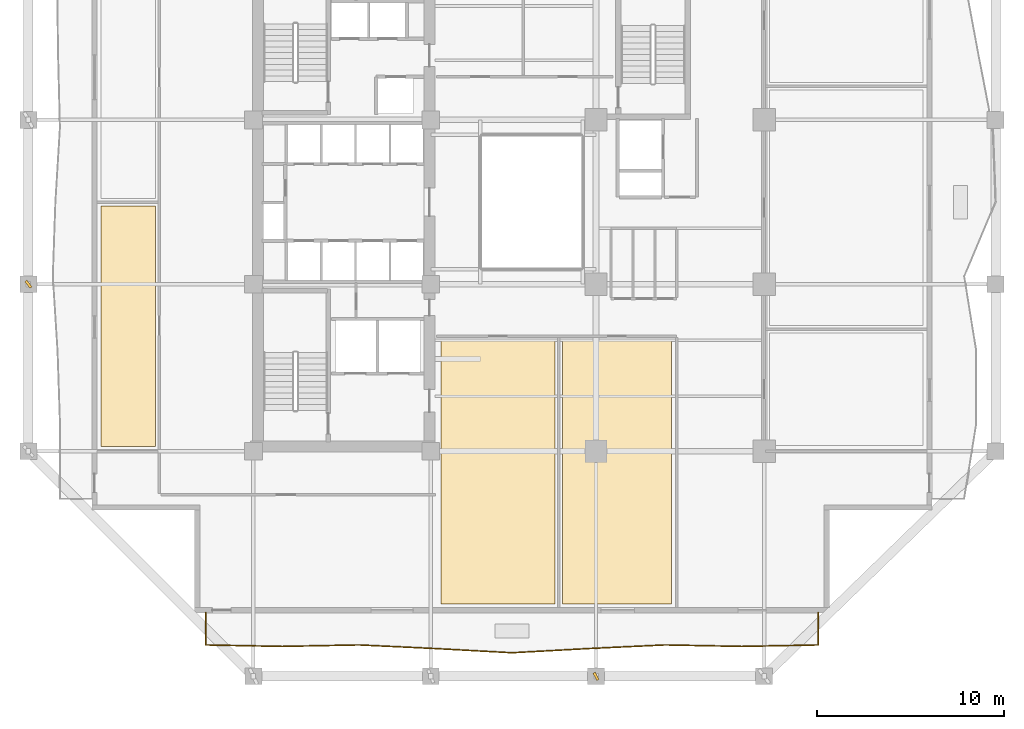
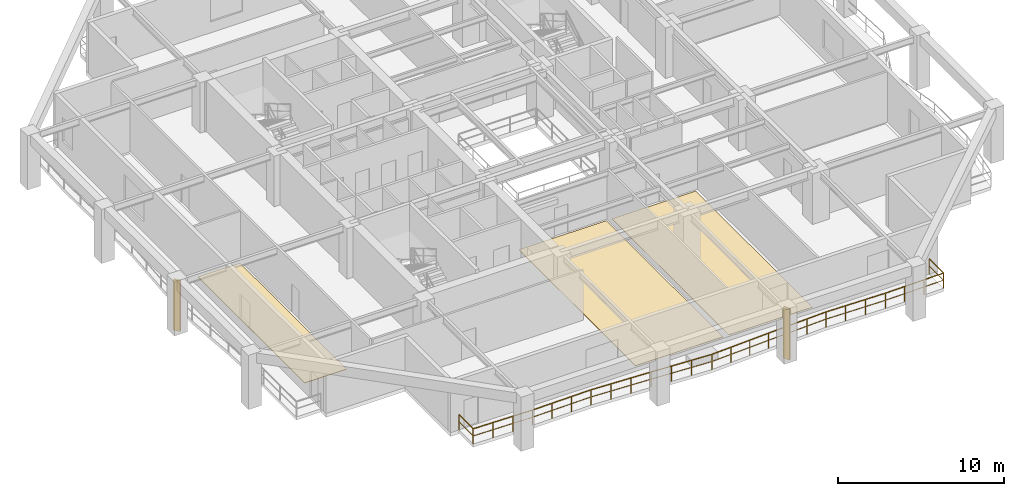
# One storey, part 7 of 12: 3 coverings, 2 shading devices, 1 railing.
"""IFC4 building model written with IfcOpenShell, lengths in metres."""

from ifc_helpers import new_model, si_unit, direction, frame, origin, origin_2d, place, context, subcontext, project, spatial, polyline, rectangle, outline, extrude, material, layer, layer_set, type_object, element, save


model = new_model("IFC4")

# Units and contexts
model_context = context("Model", 3, precision=1e-05, world=origin(), true_north=direction((0.0, 1.0)))
body_context = subcontext(model_context, "Body", "Model", "MODEL_VIEW")
ifc_project = project(units=[si_unit("LENGTHUNIT", "METRE"), si_unit("AREAUNIT", "SQUARE_METRE"), si_unit("VOLUMEUNIT", "CUBIC_METRE"), si_unit("PLANEANGLEUNIT", "RADIAN"), si_unit("MASSUNIT", "GRAM", prefix="KILO")], contexts=[model_context])

# Site, building, storey
site_placement = place(None, origin())
site = spatial("IfcSite", under=ifc_project, at=site_placement, CompositionType="ELEMENT")
building_placement = place(site_placement, origin())
building = spatial("IfcBuilding", under=site, at=building_placement, Name="Kundavana Baori Tower", CompositionType="ELEMENT")
storey_placement = place(building_placement, frame((0.0, 0.0, 38.0)))
storey = spatial("IfcBuildingStorey", under=building, at=storey_placement, Name="L08", CompositionType="ELEMENT", Elevation=38.0)

# Coverings
ifc_material_1 = material(Name="Honed Kota Stone and Terrazzo Flooring", Category="masonry")
ifc_layer_1 = layer(ifc_material_1, 0.0400390625, Name="COV-FLR-TERR-40")
ifc_layer_set_1 = layer_set([ifc_layer_1], Name="Honed Kota Stone and Terrazzo Flooring")
covering_type_1 = type_object("IfcCoveringType", Name="COV-FLR-TERR-40", PredefinedType="FLOORING", material=ifc_layer_set_1)
covering_1_placement = place(storey_placement, origin())
element("IfcCovering", 1, at=covering_1_placement, inside=storey, type_object=covering_type_1, Name="L08 Room Finished Stone Flooring 1", PredefinedType="FLOORING", context=body_context, shape_type="SweptSolid", body=[
    extrude(outline(polyline([(7.280029296875, 15.5), (10.199951171875, 15.5), (10.199951171875, 28.39990234375), (7.280029296875, 28.39990234375), (7.280029296875, 15.5)])), origin(), (0.0, 0.0, 1.0), 0.0400390625),
])
ifc_material_2 = material(Name="Honed Kota Stone and Terrazzo Flooring", Category="masonry")
ifc_layer_2 = layer(ifc_material_2, 0.030029296875, Name="COV-INT-FLR")
ifc_layer_set_2 = layer_set([ifc_layer_2], Name="Honed Kota Stone and Terrazzo Flooring")
covering_type_2 = type_object("IfcCoveringType", Name="COV-INT-FLR", PredefinedType="FLOORING", material=ifc_layer_set_2)
covering_2_placement = place(storey_placement, origin())
element("IfcCovering", 2, at=covering_2_placement, inside=storey, type_object=covering_type_2, Name="L08 Room Finished Stone Flooring 3", PredefinedType="FLOORING", context=body_context, shape_type="SweptSolid", body=[
    extrude(outline(polyline([(25.5, 7.080078125), (31.60009765625, 7.080078125), (31.60009765625, 21.199951171875), (25.5, 21.199951171875), (25.5, 7.080078125)])), origin(), (0.0, 0.0, 1.0), 0.030029296875),
])
covering_3_placement = place(storey_placement, origin())
element("IfcCovering", 3, at=covering_3_placement, inside=storey, type_object=covering_type_2, Name="L08 Room Finished Stone Flooring 4", PredefinedType="FLOORING", context=body_context, shape_type="SweptSolid", body=[
    extrude(outline(polyline([(32.0, 7.080078125), (37.840087890625, 7.080078125), (37.840087890625, 21.199951171875), (32.0, 21.199951171875), (32.0, 7.080078125)])), origin(), (0.0, 0.0, 1.0), 0.030029296875),
])

# Railing
ifc_material_3 = material(Name="Architectural Patinated Bronze Metalwork")
railing_type = type_object("IfcRailingType", Name="RL-BAL-1150", PredefinedType="BALUSTRADE", material=ifc_material_3)
railing_placement = place(storey_placement, frame((45.699951171875, 6.60009765625, 0.0)))
element("IfcRailing", 4, at=railing_placement, inside=storey, type_object=railing_type, Name="L08 Loggia Balcony Balustrade S", PredefinedType="BALUSTRADE", context=body_context, shape_type="SweptSolid", body=[
    extrude(rectangle(XDim=0.048095703125, YDim=0.048095703125, at=origin_2d()), frame((0.0, 0.0, 1.1259765625), z_axis=(0.0, -1.0, 0.0), x_axis=(1.0, 0.0, 0.0)), (0.0, 0.0, 1.0), 1.72021484375),
    extrude(rectangle(XDim=0.03125, YDim=0.03125, at=origin_2d()), frame((0.0, 0.0, 0.597900390625), z_axis=(0.0, -1.0, 0.0), x_axis=(1.0, 0.0, 0.0)), (0.0, 0.0, 1.0), 1.72021484375),
    extrude(rectangle(XDim=0.048095703125, YDim=0.048095703125, at=origin_2d()), frame((0.0, -1.72021484375, 1.1259765625), z_axis=(-0.999810466732, -0.019468708547, 0.0), x_axis=(0.019468708547, -0.999810466732, 0.0)), (0.0, 0.0, 1.0), 4.1005859375),
    extrude(rectangle(XDim=0.03125, YDim=0.03125, at=origin_2d()), frame((0.0, -1.72021484375, 0.597900390625), z_axis=(-0.999810466732, -0.019468708547, 0.0), x_axis=(0.019468708547, -0.999810466732, 0.0)), (0.0, 0.0, 1.0), 4.1005859375),
    extrude(rectangle(XDim=0.048095703125, YDim=0.048095703125, at=origin_2d()), frame((-4.099853515625, -1.800048828125, 1.1259765625), z_axis=(-0.999810489297, 0.01946754972, 0.0), x_axis=(-0.01946754972, -0.999810489297, 0.0)), (0.0, 0.0, 1.0), 4.100830078125),
    extrude(rectangle(XDim=0.03125, YDim=0.03125, at=origin_2d()), frame((-4.099853515625, -1.800048828125, 0.597900390625), z_axis=(-0.999810489297, 0.01946754972, 0.0), x_axis=(-0.01946754972, -0.999810489297, 0.0)), (0.0, 0.0, 1.0), 4.100830078125),
    extrude(rectangle(XDim=0.048095703125, YDim=0.048095703125, at=origin_2d()), frame((-8.199951171875, -1.72021484375, 1.1259765625), z_axis=(-0.998884228208, -0.047226037704, 0.0), x_axis=(0.047226037704, -0.998884228208, 0.0)), (0.0, 0.0, 1.0), 4.104736328125),
    extrude(rectangle(XDim=0.03125, YDim=0.03125, at=origin_2d()), frame((-8.199951171875, -1.72021484375, 0.597900390625), z_axis=(-0.998884228208, -0.047226037704, 0.0), x_axis=(0.047226037704, -0.998884228208, 0.0)), (0.0, 0.0, 1.0), 4.104736328125),
    extrude(rectangle(XDim=0.048095703125, YDim=0.048095703125, at=origin_2d()), frame((-12.300048828125, -1.9140625, 1.1259765625), z_axis=(-0.998483136928, -0.055058380563, 0.0), x_axis=(0.055058380563, -0.998483136928, 0.0)), (0.0, 0.0, 1.0), 4.106201171875),
    extrude(rectangle(XDim=0.03125, YDim=0.03125, at=origin_2d()), frame((-12.300048828125, -1.9140625, 0.597900390625), z_axis=(-0.998483136928, -0.055058380563, 0.0), x_axis=(0.055058380563, -0.998483136928, 0.0)), (0.0, 0.0, 1.0), 4.106201171875),
    extrude(rectangle(XDim=0.048095703125, YDim=0.048095703125, at=origin_2d()), frame((-16.39990234375, -2.14013671875, 1.1259765625), z_axis=(-0.998483317155, 0.055055112045, 0.0), x_axis=(-0.055055112045, -0.998483317155, 0.0)), (0.0, 0.0, 1.0), 4.1064453125),
    extrude(rectangle(XDim=0.03125, YDim=0.03125, at=origin_2d()), frame((-16.39990234375, -2.14013671875, 0.597900390625), z_axis=(-0.998483317155, 0.055055112045, 0.0), x_axis=(-0.055055112045, -0.998483317155, 0.0)), (0.0, 0.0, 1.0), 4.1064453125),
    extrude(rectangle(XDim=0.048095703125, YDim=0.048095703125, at=origin_2d()), frame((-20.5, -1.9140625, 1.1259765625), z_axis=(-0.998884095541, 0.047228843677, 0.0), x_axis=(-0.047228843677, -0.998884095541, 0.0)), (0.0, 0.0, 1.0), 4.1044921875),
    extrude(rectangle(XDim=0.03125, YDim=0.03125, at=origin_2d()), frame((-20.5, -1.9140625, 0.597900390625), z_axis=(-0.998884095541, 0.047228843677, 0.0), x_axis=(-0.047228843677, -0.998884095541, 0.0)), (0.0, 0.0, 1.0), 4.1044921875),
    extrude(rectangle(XDim=0.048095703125, YDim=0.048095703125, at=origin_2d()), frame((-24.599853515625, -1.72021484375, 1.1259765625), z_axis=(-0.999810489297, -0.01946754972, 0.0), x_axis=(0.01946754972, -0.999810489297, 0.0)), (0.0, 0.0, 1.0), 4.100830078125),
    extrude(rectangle(XDim=0.03125, YDim=0.03125, at=origin_2d()), frame((-24.599853515625, -1.72021484375, 0.597900390625), z_axis=(-0.999810489297, -0.01946754972, 0.0), x_axis=(0.01946754972, -0.999810489297, 0.0)), (0.0, 0.0, 1.0), 4.100830078125),
    extrude(rectangle(XDim=0.048095703125, YDim=0.048095703125, at=origin_2d()), frame((-28.699951171875, -1.800048828125, 1.1259765625), z_axis=(-0.999810489297, 0.01946754972, 0.0), x_axis=(-0.01946754972, -0.999810489297, 0.0)), (0.0, 0.0, 1.0), 4.100830078125),
    extrude(rectangle(XDim=0.03125, YDim=0.03125, at=origin_2d()), frame((-28.699951171875, -1.800048828125, 0.597900390625), z_axis=(-0.999810489297, 0.01946754972, 0.0), x_axis=(-0.01946754972, -0.999810489297, 0.0)), (0.0, 0.0, 1.0), 4.100830078125),
    extrude(rectangle(XDim=0.048095703125, YDim=0.048095703125, at=origin_2d()), frame((-32.800048828125, -1.72021484375, 1.1259765625), z_axis=(0.0, 1.0, 0.0), x_axis=(-1.0, 0.0, 0.0)), (0.0, 0.0, 1.0), 1.72021484375),
    extrude(rectangle(XDim=0.03125, YDim=0.03125, at=origin_2d()), frame((-32.800048828125, -1.72021484375, 0.597900390625), z_axis=(0.0, 1.0, 0.0), x_axis=(-1.0, 0.0, 0.0)), (0.0, 0.0, 1.0), 1.72021484375),
    extrude(rectangle(XDim=0.0419921875, YDim=0.0419921875, at=origin_2d()), origin(), (0.0, 0.0, 1.0), 1.101806640625),
    extrude(rectangle(XDim=0.0419921875, YDim=0.0419921875, at=origin_2d()), frame((0.0, -1.72021484375, 0.0)), (0.0, 0.0, 1.0), 1.101806640625),
    extrude(rectangle(XDim=0.0419921875, YDim=0.0419921875, at=origin_2d()), frame((-1.36669921875, -1.746826171875, 0.0)), (0.0, 0.0, 1.0), 1.101806640625),
    extrude(rectangle(XDim=0.0419921875, YDim=0.0419921875, at=origin_2d()), frame((-2.733154296875, -1.7734375, 0.0)), (0.0, 0.0, 1.0), 1.101806640625),
    extrude(rectangle(XDim=0.0419921875, YDim=0.0419921875, at=origin_2d()), frame((-4.099853515625, -1.800048828125, 0.0)), (0.0, 0.0, 1.0), 1.101806640625),
    extrude(rectangle(XDim=0.0419921875, YDim=0.0419921875, at=origin_2d()), frame((-5.466552734375, -1.7734375, 0.0)), (0.0, 0.0, 1.0), 1.101806640625),
    extrude(rectangle(XDim=0.0419921875, YDim=0.0419921875, at=origin_2d()), frame((-6.833251953125, -1.746826171875, 0.0)), (0.0, 0.0, 1.0), 1.101806640625),
    extrude(rectangle(XDim=0.0419921875, YDim=0.0419921875, at=origin_2d()), frame((-8.199951171875, -1.72021484375, 0.0)), (0.0, 0.0, 1.0), 1.101806640625),
    extrude(rectangle(XDim=0.0419921875, YDim=0.0419921875, at=origin_2d()), frame((-9.566650390625, -1.784912109375, 0.0)), (0.0, 0.0, 1.0), 1.101806640625),
    extrude(rectangle(XDim=0.0419921875, YDim=0.0419921875, at=origin_2d()), frame((-10.933349609375, -1.849365234375, 0.0)), (0.0, 0.0, 1.0), 1.101806640625),
    extrude(rectangle(XDim=0.0419921875, YDim=0.0419921875, at=origin_2d()), frame((-12.300048828125, -1.9140625, 0.0)), (0.0, 0.0, 1.0), 1.101806640625),
    extrude(rectangle(XDim=0.0419921875, YDim=0.0419921875, at=origin_2d()), frame((-13.666748046875, -1.989501953125, 0.0)), (0.0, 0.0, 1.0), 1.101806640625),
    extrude(rectangle(XDim=0.0419921875, YDim=0.0419921875, at=origin_2d()), frame((-15.033203125, -2.064697265625, 0.0)), (0.0, 0.0, 1.0), 1.101806640625),
    extrude(rectangle(XDim=0.0419921875, YDim=0.0419921875, at=origin_2d()), frame((-16.39990234375, -2.14013671875, 0.0)), (0.0, 0.0, 1.0), 1.101806640625),
    extrude(rectangle(XDim=0.0419921875, YDim=0.0419921875, at=origin_2d()), frame((-17.7666015625, -2.064697265625, 0.0)), (0.0, 0.0, 1.0), 1.101806640625),
    extrude(rectangle(XDim=0.0419921875, YDim=0.0419921875, at=origin_2d()), frame((-19.13330078125, -1.989501953125, 0.0)), (0.0, 0.0, 1.0), 1.101806640625),
    extrude(rectangle(XDim=0.0419921875, YDim=0.0419921875, at=origin_2d()), frame((-20.5, -1.9140625, 0.0)), (0.0, 0.0, 1.0), 1.101806640625),
    extrude(rectangle(XDim=0.0419921875, YDim=0.0419921875, at=origin_2d()), frame((-21.86669921875, -1.849365234375, 0.0)), (0.0, 0.0, 1.0), 1.101806640625),
    extrude(rectangle(XDim=0.0419921875, YDim=0.0419921875, at=origin_2d()), frame((-23.233154296875, -1.784912109375, 0.0)), (0.0, 0.0, 1.0), 1.101806640625),
    extrude(rectangle(XDim=0.0419921875, YDim=0.0419921875, at=origin_2d()), frame((-24.599853515625, -1.72021484375, 0.0)), (0.0, 0.0, 1.0), 1.101806640625),
    extrude(rectangle(XDim=0.0419921875, YDim=0.0419921875, at=origin_2d()), frame((-25.966552734375, -1.746826171875, 0.0)), (0.0, 0.0, 1.0), 1.101806640625),
    extrude(rectangle(XDim=0.0419921875, YDim=0.0419921875, at=origin_2d()), frame((-27.333251953125, -1.7734375, 0.0)), (0.0, 0.0, 1.0), 1.101806640625),
    extrude(rectangle(XDim=0.0419921875, YDim=0.0419921875, at=origin_2d()), frame((-28.699951171875, -1.800048828125, 0.0)), (0.0, 0.0, 1.0), 1.101806640625),
    extrude(rectangle(XDim=0.0419921875, YDim=0.0419921875, at=origin_2d()), frame((-30.066650390625, -1.7734375, 0.0)), (0.0, 0.0, 1.0), 1.101806640625),
    extrude(rectangle(XDim=0.0419921875, YDim=0.0419921875, at=origin_2d()), frame((-31.433349609375, -1.746826171875, 0.0)), (0.0, 0.0, 1.0), 1.101806640625),
    extrude(rectangle(XDim=0.0419921875, YDim=0.0419921875, at=origin_2d()), frame((-32.800048828125, -1.72021484375, 0.0)), (0.0, 0.0, 1.0), 1.101806640625),
    extrude(rectangle(XDim=0.0419921875, YDim=0.0419921875, at=origin_2d()), frame((-32.800048828125, 0.0, 0.0)), (0.0, 0.0, 1.0), 1.101806640625),
])

# Shading devices
ifc_material_4 = material(Name="Architectural Patinated Bronze Metalwork")
shading_device_type = type_object("IfcShadingDeviceType", Name="SHD-LOUV-450", PredefinedType="SHUTTER", material=ifc_material_4)
for number, where, z_axis, x_axis, name in (
    (5, (33.800048828125, 3.199951171875, 0.0), (0.0, 0.0, 1.0), (0.888216647103, 0.45942484457, 0.0), "L08 Sweeping Dholpur Sandstone Facade Fin 3"),
    (6, (3.39990234375, 24.199951171875, 0.0), (0.0, 0.0, 1.0), (0.78961984927, 0.613596360516, 0.0), "L08 Sweeping Dholpur Sandstone Facade Fin 6"),
):
    element("IfcShadingDevice", number, at=place(storey_placement, frame(where, z_axis=z_axis, x_axis=x_axis)), inside=storey, type_object=shading_device_type, Name=name, PredefinedType="SHUTTER", context=body_context, shape_type="SweptSolid", body=[
        extrude(rectangle(XDim=0.139892578125, YDim=0.449951171875, at=origin_2d()), origin(), (0.0, 0.0, 1.0), 3.719970703125),
    ])

save(model, "model.ifc")
